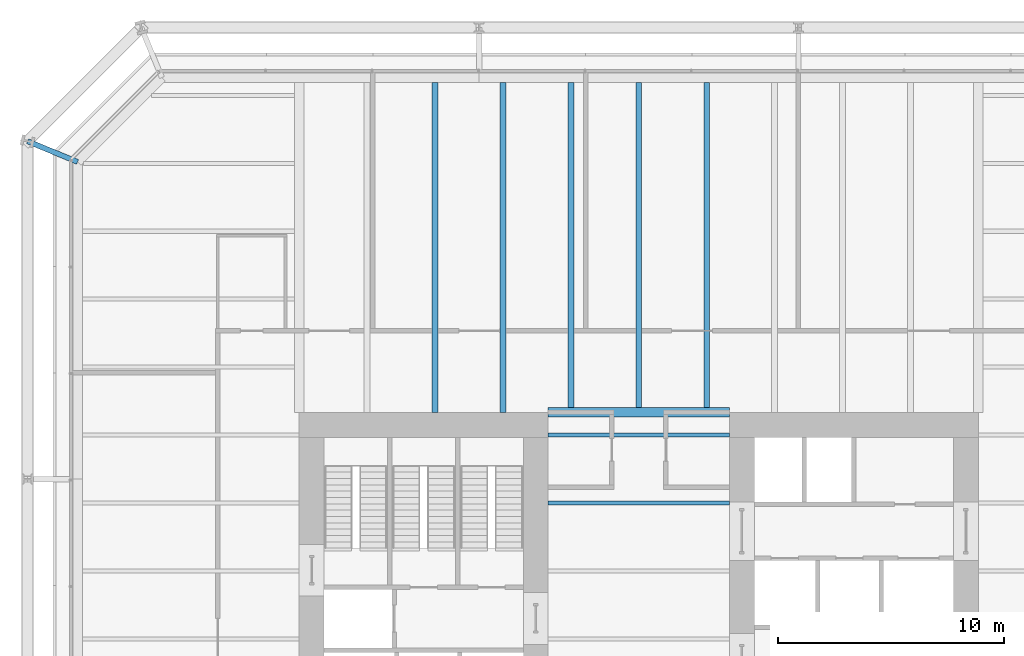
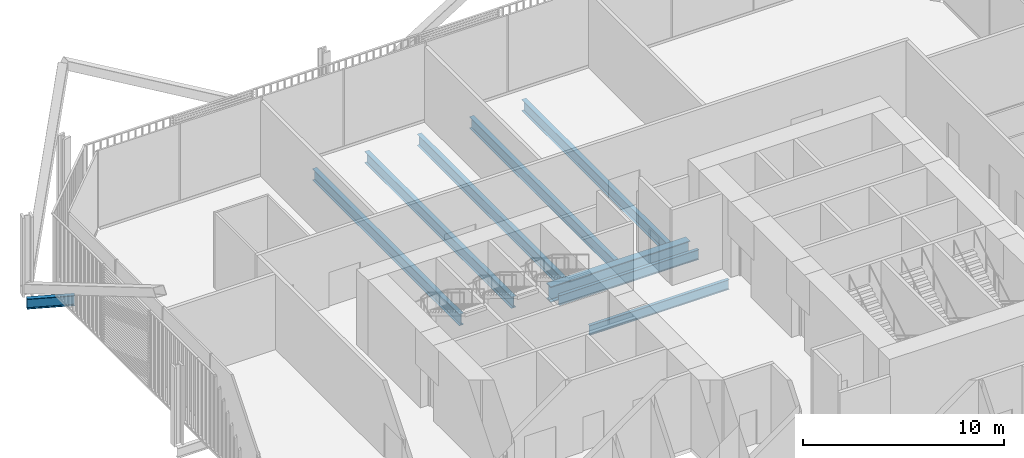
# One storey, part 13 of 22: 9 beams.
"""IFC4 building model written with IfcOpenShell, lengths in metres."""

import ifcopenshell
import ifcopenshell.guid

model = None  # the IFC model being written
_history = None  # IfcOwnerHistory: only IFC2X3 demands one
_inside = {}  # id of a spatial element -> (the spatial element, [elements in it])
_under = {}  # id of a project, library or spatial element -> (it, [spatial elements below it])
_declared = {}  # id of a project -> (the project, [libraries it declares])
_typed = {}  # id of a type object -> (the type object, [elements of that type])
_made_of = {}  # id of a material, layer set ... -> (it, [elements and type objects made of it])


def new_model(schema):
    """Start an empty IFC model of exactly this schema.

    Asked for "IFC4X3", IfcOpenShell would pick the latest addendum, in which some entities
    have other attributes; the version numbers below select the first issue.
    IFC2X3 requires an IfcOwnerHistory on every rooted entity: one is made here for all.
    """
    global model, _history
    if schema == "IFC4X3":
        model = ifcopenshell.file(schema_version=(4, 3, 0, 0))
    else:
        model = ifcopenshell.file(schema=schema)
    _inside.clear()
    _under.clear()
    _declared.clear()
    _typed.clear()
    _made_of.clear()
    _history = None
    if model.schema == "IFC2X3":
        org = make("IfcOrganization", Name="unknown")
        user = make(
            "IfcPersonAndOrganization",
            ThePerson=make("IfcPerson", FamilyName="unknown"),
            TheOrganization=org,
        )
        app = make(
            "IfcApplication",
            ApplicationDeveloper=org,
            Version="unknown",
            ApplicationFullName="unknown",
            ApplicationIdentifier="unknown",
        )
        _history = make(
            "IfcOwnerHistory",
            OwningUser=user,
            OwningApplication=app,
            ChangeAction="ADDED",
            CreationDate=0,
        )
    return model


def make(cls, **values):
    """One entity of the class cls with the attributes given. An attribute that is None is left unset."""
    return model.create_entity(
        cls, **{name: value for name, value in values.items() if value is not None}
    )


def rooted(cls, **values):
    """An entity with a GlobalId (a new one), such as an element, a storey or a relation."""
    return make(cls, GlobalId=ifcopenshell.guid.new(), OwnerHistory=_history, **values)


def si_unit(unit_type, name, prefix=None):
    """IfcSIUnit, for example si_unit("LENGTHUNIT", "METRE", prefix="MILLI")."""
    return make("IfcSIUnit", UnitType=unit_type, Prefix=prefix, Name=name)


def assignment(units):
    """IfcUnitAssignment: the units of a project."""
    return None if units is None else make("IfcUnitAssignment", Units=units)


def point(xyz):
    """IfcCartesianPoint."""
    return None if xyz is None else make("IfcCartesianPoint", Coordinates=xyz)


def direction(xyz):
    """IfcDirection."""
    return None if xyz is None else make("IfcDirection", DirectionRatios=xyz)


def frame(location, z_axis=None, x_axis=None):
    """IfcAxis2Placement3D, a coordinate frame: its origin and axes. An axis left out is left unset."""
    return make(
        "IfcAxis2Placement3D",
        Location=point(location),
        Axis=direction(z_axis),
        RefDirection=direction(x_axis),
    )


def frame_2d(location, x_axis=None):
    """IfcAxis2Placement2D, a coordinate frame in the plane: its origin and x axis."""
    return make(
        "IfcAxis2Placement2D", Location=point(location), RefDirection=direction(x_axis)
    )


def origin():
    """The frame at (0, 0, 0) with its axes left unset."""
    return frame((0.0, 0.0, 0.0))


def origin_2d():
    """The frame at (0, 0) in the plane with its x axis left unset."""
    return frame_2d((0.0, 0.0))


def place(relative_to, where):
    """IfcLocalPlacement: puts the frame where relative to a parent placement (None: the world)."""
    return make(
        "IfcLocalPlacement", PlacementRelTo=relative_to, RelativePlacement=where
    )


def context(
    kind, dimensions, precision=None, world=None, true_north=None, identifier=None
):
    """IfcGeometricRepresentationContext, for example the 3D "Model" context."""
    return make(
        "IfcGeometricRepresentationContext",
        ContextIdentifier=identifier,
        ContextType=kind,
        CoordinateSpaceDimension=dimensions,
        Precision=precision,
        WorldCoordinateSystem=world,
        TrueNorth=true_north,
    )


def subcontext(parent, identifier, kind, view, scale=None):
    """IfcGeometricRepresentationSubContext, for example "Body" below "Model"."""
    return make(
        "IfcGeometricRepresentationSubContext",
        ContextIdentifier=identifier,
        ContextType=kind,
        ParentContext=parent,
        TargetScale=scale,
        TargetView=view,
    )


def project(units=None, contexts=None):
    """IfcProject with its units and contexts."""
    return rooted(
        "IfcProject",
        Name="project",
        RepresentationContexts=contexts,
        UnitsInContext=assignment(units),
    )


def spatial(cls, under=None, at=None, **own):
    """A site, building, storey or space (cls), placed at a placement, below another one or the project."""
    s = rooted(cls, ObjectPlacement=at, **own)
    if under is not None:
        _under.setdefault(under.id(), (under, []))[1].append(s)
    return s


def profile(cls, at=None, kind="AREA", **sizes):
    """A parametric profile (cls). Its sizes go by their IFC names, for example OverallWidth=200.0."""
    return make(cls, ProfileType=kind, Position=at, **sizes)


def i_section(**sizes):
    """IfcIShapeProfileDef."""
    return profile("IfcIShapeProfileDef", **sizes)


def extrude(swept, where, along, depth):
    """IfcExtrudedAreaSolid: the profile swept, set in the frame where, extruded along a direction by depth."""
    return make(
        "IfcExtrudedAreaSolid",
        SweptArea=swept,
        Position=where,
        ExtrudedDirection=direction(along),
        Depth=depth,
    )


def shape(context_of_items, identifier, shape_type, items):
    """IfcShapeRepresentation: the items that make up one representation, for example the "Body"."""
    return make(
        "IfcShapeRepresentation",
        ContextOfItems=context_of_items,
        RepresentationIdentifier=identifier,
        RepresentationType=shape_type,
        Items=items,
    )


def material(Name=None, Category=None):
    """IfcMaterial."""
    return make("IfcMaterial", Name=Name, Category=Category)


def material_profile(
    of_material, cross_section, Name=None, Category=None, Priority=None
):
    """IfcMaterialProfile: a cross section and its material."""
    return make(
        "IfcMaterialProfile",
        Name=Name,
        Material=of_material,
        Profile=cross_section,
        Priority=Priority,
        Category=Category,
    )


def profile_set(profiles, Name=None, composite=None):
    """IfcMaterialProfileSet."""
    return make(
        "IfcMaterialProfileSet",
        Name=Name,
        MaterialProfiles=profiles,
        CompositeProfile=composite,
    )


def made_of(thing, what):
    """Note that an element or type object is made of a material, layer set ...; save() writes the relation."""
    if what is not None:
        _made_of.setdefault(what.id(), (what, []))[1].append(thing)
    return thing


def type_object(cls, material=None, **own):
    """A type object (cls), such as IfcWallType, which elements share."""
    return made_of(rooted(cls, **own), material)


def element(
    cls,
    number,
    at=None,
    inside=None,
    cuts=None,
    type_object=None,
    material=None,
    context=None,
    identifier="Body",
    shape_type=None,
    held_by="IfcProductDefinitionShape",
    body=None,
    shapes=None,
    **own,
):
    """One element of the class cls, such as IfcWall. Its Tag is "e" and its number.

    at: its placement. inside: the storey or other place that contains it. cuts: it is an
    opening in that element (IfcRelVoidsElement). A single representation is given by context,
    identifier, shape_type and body (its items); several are given by shapes. held_by: the class
    of the entity that holds the representations. save() writes the other relations.
    """
    e = rooted(cls, Tag="e%d" % number, ObjectPlacement=at, **own)
    if body is not None:
        shapes = [shape(context, identifier, shape_type, body)]
    if shapes is not None:
        e.Representation = make(held_by, Representations=shapes)
    if inside is not None:
        _inside.setdefault(inside.id(), (inside, []))[1].append(e)
    if cuts is not None:
        rooted(
            "IfcRelVoidsElement", RelatingBuildingElement=cuts, RelatedOpeningElement=e
        )
    if type_object is not None:
        _typed.setdefault(type_object.id(), (type_object, []))[1].append(e)
    return made_of(e, material)


def aggregate(whole, parts):
    """IfcRelAggregates: a whole, such as a stair, and the parts it consists of."""
    return rooted("IfcRelAggregates", RelatingObject=whole, RelatedObjects=parts)


def save(model, path):
    """Write the relations noted so far, then the file.

    IfcRelAggregates (storeys below a building ...), IfcRelContainedInSpatialStructure (elements
    in a storey), IfcRelDefinesByType, IfcRelAssociatesMaterial and IfcRelDeclares: one each for
    every whole, place, type object, material and project.
    """
    for whole, parts in _under.values():
        aggregate(whole, parts)
    for where, things in _inside.values():
        rooted(
            "IfcRelContainedInSpatialStructure",
            RelatedElements=things,
            RelatingStructure=where,
        )
    for kind, things in _typed.values():
        rooted("IfcRelDefinesByType", RelatedObjects=things, RelatingType=kind)
    for what, things in _made_of.values():
        rooted("IfcRelAssociatesMaterial", RelatedObjects=things, RelatingMaterial=what)
    for by, libraries in _declared.values():
        rooted("IfcRelDeclares", RelatingContext=by, RelatedDefinitions=libraries)
    model.write(path)


model = new_model("IFC4")

# Units and contexts
model_context = context("Model", 3, precision=1e-05, world=origin(), true_north=direction((0.0, 1.0)))
body_context = subcontext(model_context, "Body", "Model", "MODEL_VIEW")
ifc_project = project(units=[si_unit("LENGTHUNIT", "METRE"), si_unit("AREAUNIT", "SQUARE_METRE"), si_unit("VOLUMEUNIT", "CUBIC_METRE"), si_unit("PLANEANGLEUNIT", "RADIAN"), si_unit("MASSUNIT", "GRAM", prefix="KILO")], contexts=[model_context])

# Site, building, storey
site_placement = place(None, origin())
site = spatial("IfcSite", under=ifc_project, at=site_placement, CompositionType="ELEMENT")
building_placement = place(site_placement, origin())
building = spatial("IfcBuilding", under=site, at=building_placement, Name="Millrace Tower", CompositionType="ELEMENT")
storey_placement = place(building_placement, frame((0.0, 0.0, 44.89990234375)))
storey = spatial("IfcBuildingStorey", under=building, at=storey_placement, Name="L10", CompositionType="ELEMENT", Elevation=44.89990234375)

# Beams
ifc_material_1 = material(Name="Steel ASTM A992 Grade 50", Category="steel")
ifc_material_profile_1 = material_profile(ifc_material_1, i_section(OverallWidth=0.177978515625, OverallDepth=0.599365234375, WebThickness=0.010009765625, FlangeThickness=0.012939453125, FilletRadius=0.012939453125, at=origin_2d()))
ifc_profile_set_1 = profile_set([ifc_material_profile_1], Name="Steel ASTM A992 Grade 50")
beam_type_1 = type_object("IfcBeamType", Name="Floor beam W24x55", PredefinedType="JOIST", material=ifc_profile_set_1)
for number, where, z_axis, x_axis, name in (
    (1, (-4.0, 6.0, -0.524658203125), (1.0, 0.0, 0.0), (0.0, 1.0, 0.0), "BM-A-L10-S1-S026"),
    (2, (-4.0, 9.0, -0.524658203125), (1.0, 0.0, 0.0), (0.0, 1.0, 0.0), "BM-A-L10-S1-S029"),
):
    element("IfcBeam", number, at=place(storey_placement, frame(where, z_axis=z_axis, x_axis=x_axis)), inside=storey, type_object=beam_type_1, Name=name, PredefinedType="JOIST", context=body_context, shape_type="SweptSolid", body=[
        extrude(i_section(OverallWidth=0.177978515625, OverallDepth=0.599365234375, WebThickness=0.010009765625, FlangeThickness=0.012939453125, FilletRadius=0.012939453125, at=origin_2d()), origin(), (0.0, 0.0, 1.0), 8.0),
    ])
ifc_material_2 = material(Name="Steel ASTM A992 Grade 50", Category="steel")
ifc_material_profile_2 = material_profile(ifc_material_2, i_section(OverallWidth=0.256591796875, OverallDepth=0.693359375, WebThickness=0.014404296875, FlangeThickness=0.023681640625, FilletRadius=0.01513671875, at=origin_2d()))
ifc_profile_set_2 = profile_set([ifc_material_profile_2], Name="Steel ASTM A992 Grade 50")
beam_type_2 = type_object("IfcBeamType", Name="Floor beam W27x114", PredefinedType="JOIST", material=ifc_profile_set_2)
for number, where, z_axis, x_axis, name in (
    (3, (-9.0, 10.0, -0.571533203125), (0.0, 1.0, 0.0), (-1.0, 0.0, 0.0), "BM-A-L10-S1-S044"),
    (4, (-6.0, 10.0, -0.571533203125), (0.0, 1.0, 0.0), (-1.0, 0.0, 0.0), "BM-A-L10-S1-S046"),
):
    element("IfcBeam", number, at=place(storey_placement, frame(where, z_axis=z_axis, x_axis=x_axis)), inside=storey, type_object=beam_type_2, Name=name, PredefinedType="JOIST", context=body_context, shape_type="SweptSolid", body=[
        extrude(i_section(OverallWidth=0.256591796875, OverallDepth=0.693359375, WebThickness=0.014404296875, FlangeThickness=0.023681640625, FilletRadius=0.01513671875, at=origin_2d()), origin(), (0.0, 0.0, 1.0), 14.578369140625),
    ])
for number, where, z_axis, x_axis, name in (
    (5, (-3.0, 10.212158203125, -0.571533203125), (0.0, 1.0, 0.0), (-1.0, 0.0, 0.0), "BM-A-L10-S1-S048"),
    (6, (0.0, 10.212158203125, -0.571533203125), (0.0, 1.0, 0.0), (-1.0, 0.0, 0.0), "BM-A-L10-S1-S050"),
    (7, (3.0, 10.212158203125, -0.571533203125), (0.0, 1.0, 0.0), (-1.0, 0.0, 0.0), "BM-A-L10-S1-S052"),
):
    element("IfcBeam", number, at=place(storey_placement, frame(where, z_axis=z_axis, x_axis=x_axis)), inside=storey, type_object=beam_type_2, Name=name, PredefinedType="JOIST", context=body_context, shape_type="SweptSolid", body=[
        extrude(i_section(OverallWidth=0.256591796875, OverallDepth=0.693359375, WebThickness=0.014404296875, FlangeThickness=0.023681640625, FilletRadius=0.01513671875, at=origin_2d()), origin(), (0.0, 0.0, 1.0), 14.3662109375),
    ])
ifc_material_3 = material(Name="Steel ASTM A992 Grade 50", Category="steel")
ifc_material_profile_3 = material_profile(ifc_material_3, i_section(OverallWidth=0.424072265625, OverallDepth=0.947509765625, WebThickness=0.02392578125, FlangeThickness=0.042724609375, FilletRadius=0.024169921875, at=origin_2d()))
ifc_profile_set_3 = profile_set([ifc_material_profile_3], Name="Steel ASTM A992 Grade 50")
beam_type_3 = type_object("IfcBeamType", Name="Girder short span W36x302", PredefinedType="BEAM", material=ifc_profile_set_3)
beam_1_placement = place(storey_placement, frame((-4.0, 10.0, -0.69873046875), z_axis=(1.0, 0.0, 0.0), x_axis=(0.0, 1.0, 0.0)))
element("IfcBeam", 8, at=beam_1_placement, inside=storey, type_object=beam_type_3, Name="BM-A-L10-S1-G064", PredefinedType="BEAM", context=body_context, shape_type="SweptSolid", body=[
    extrude(i_section(OverallWidth=0.424072265625, OverallDepth=0.947509765625, WebThickness=0.02392578125, FlangeThickness=0.042724609375, FilletRadius=0.024169921875, at=origin_2d()), origin(), (0.0, 0.0, 1.0), 8.0),
])
ifc_material_4 = material(Name="Steel ASTM A992 Grade 50", Category="steel")
ifc_material_profile_4 = material_profile(ifc_material_4, i_section(OverallWidth=0.23046875, OverallDepth=0.6171875, WebThickness=0.01318359375, FlangeThickness=0.022216796875, FilletRadius=0.012939453125, at=origin_2d()))
ifc_profile_set_4 = profile_set([ifc_material_profile_4], Name="Steel ASTM A992 Grade 50")
beam_type_4 = type_object("IfcBeamType", Name="Link beam W24x94", PredefinedType="BEAM", material=ifc_profile_set_4)
beam_2_placement = place(storey_placement, frame((-24.7890625, 21.062744140625, -0.533447265625), z_axis=(-0.923883789366, 0.382673155247, 0.0), x_axis=(-0.382673155247, -0.923883789366, 0.0)))
element("IfcBeam", 9, at=beam_2_placement, inside=storey, type_object=beam_type_4, Name="LNK-A-L10-S1-04", PredefinedType="BEAM", context=body_context, shape_type="SweptSolid", body=[
    extrude(i_section(OverallWidth=0.23046875, OverallDepth=0.6171875, WebThickness=0.01318359375, FlangeThickness=0.022216796875, FilletRadius=0.012939453125, at=origin_2d()), origin(), (0.0, 0.0, 1.0), 2.39306640625),
])

save(model, "model.ifc")
